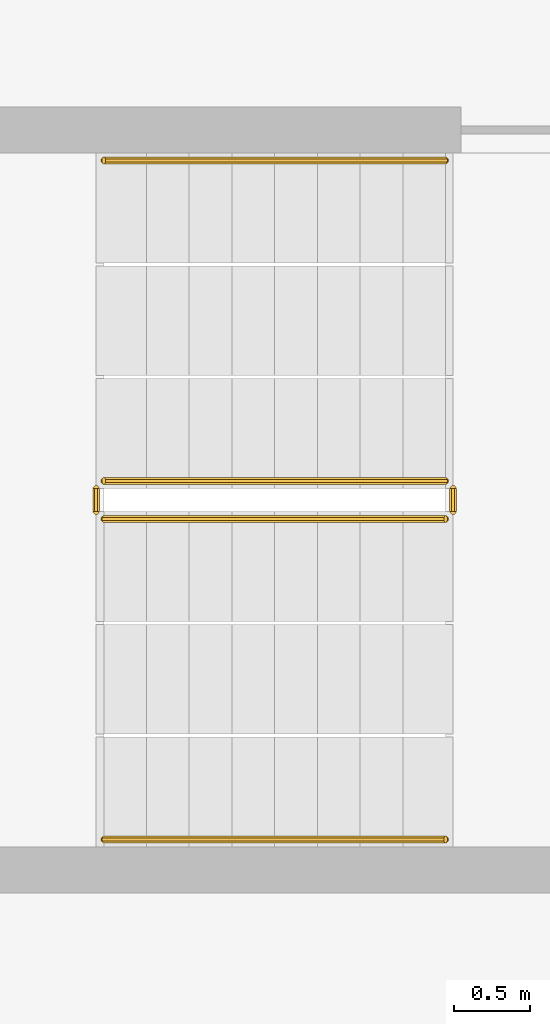
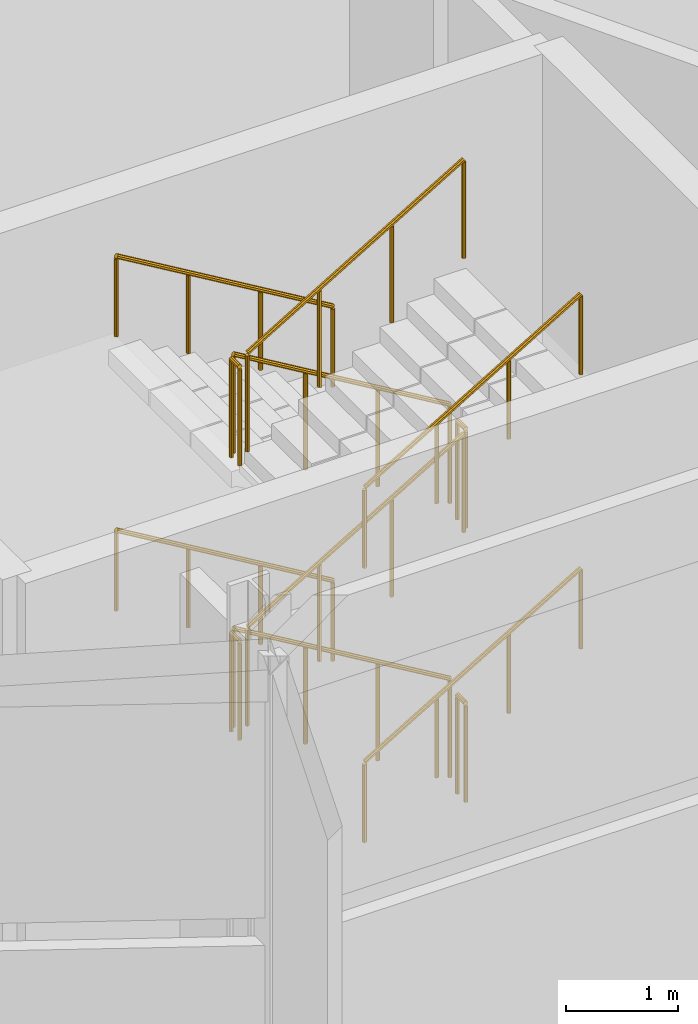
# One storey, part 23 of 33: 12 railings.
"""IFC4 building model written with IfcOpenShell, lengths in metres."""

from ifc_helpers import new_model, si_unit, direction, frame, origin, place, context, subcontext, project, spatial, polyline, outline, extrude, material, type_object, element, save


model = new_model("IFC4")

# Units and contexts
model_context = context("Model", 3, precision=1e-05, world=origin(), true_north=direction((0.0, 1.0)))
body_context = subcontext(model_context, "Body", "Model", "MODEL_VIEW")
ifc_project = project(units=[si_unit("LENGTHUNIT", "METRE"), si_unit("AREAUNIT", "SQUARE_METRE"), si_unit("VOLUMEUNIT", "CUBIC_METRE"), si_unit("PLANEANGLEUNIT", "RADIAN"), si_unit("MASSUNIT", "GRAM", prefix="KILO")], contexts=[model_context])

# Site, building, storey
site_placement = place(None, origin())
site = spatial("IfcSite", under=ifc_project, at=site_placement, CompositionType="ELEMENT")
building_placement = place(site_placement, origin())
building = spatial("IfcBuilding", under=site, at=building_placement, Name="Cormorant Relay Tower", CompositionType="ELEMENT")
storey_placement = place(building_placement, frame((0.0, 0.0, 252.0)))
storey = spatial("IfcBuildingStorey", under=building, at=storey_placement, Name="L56", CompositionType="ELEMENT", Elevation=252.0)

# Railings
ifc_material_1 = material(Name="Steel ASTM A572 Grade 50 (Fy 345 MPa)", Category="steel")
railing_type_1 = type_object("IfcRailingType", Name="Stair guard 1100", PredefinedType="GUARDRAIL", material=ifc_material_1)
railing_1_placement = place(storey_placement, frame((1.60009765625, -18.27490234375, 0.166748046875)))
element("IfcRailing", 1, at=railing_1_placement, inside=storey, type_object=railing_type_1, Name="L56 RK1 stair guard 1", PredefinedType="GUARDRAIL", context=body_context, shape_type="SweptSolid", body=[
    extrude(outline(polyline([(0.022216796875, 0.00927734375), (0.00927734375, 0.022216796875), (-0.00927734375, 0.022216796875), (-0.022216796875, 0.00927734375), (-0.022216796875, -0.00927734375), (-0.00927734375, -0.022216796875), (0.00927734375, -0.022216796875), (0.022216796875, -0.00927734375), (0.022216796875, 0.00927734375)])), frame((0.0, 0.0, 1.076171875), z_axis=(-0.859305625298, 0.0, 0.511462454469), x_axis=(0.0, -1.0, 0.0)), (0.0, 0.0, 1.0), 2.606689453125),
    extrude(outline(polyline([(0.019287109375, 0.008056640625), (0.008056640625, 0.019287109375), (-0.008056640625, 0.019287109375), (-0.019287109375, 0.008056640625), (-0.019287109375, -0.008056640625), (-0.008056640625, -0.019287109375), (0.008056640625, -0.019287109375), (0.019287109375, -0.008056640625), (0.019287109375, 0.008056640625)])), origin(), (0.0, 0.0, 1.0), 1.052001953125),
    extrude(outline(polyline([(0.019287109375, 0.008056640625), (0.008056640625, 0.019287109375), (-0.008056640625, 0.019287109375), (-0.019287109375, 0.008056640625), (-0.019287109375, -0.008056640625), (-0.008056640625, -0.019287109375), (0.008056640625, -0.019287109375), (0.019287109375, -0.008056640625), (0.019287109375, 0.008056640625)])), frame((-0.74658203125, 0.0, 0.4443359375)), (0.0, 0.0, 1.0), 1.052001953125),
    extrude(outline(polyline([(0.019287109375, 0.008056640625), (0.008056640625, 0.019287109375), (-0.008056640625, 0.019287109375), (-0.019287109375, 0.008056640625), (-0.019287109375, -0.008056640625), (-0.008056640625, -0.019287109375), (0.008056640625, -0.019287109375), (0.019287109375, -0.008056640625), (0.019287109375, 0.008056640625)])), frame((-1.493408203125, 0.0, 0.888916015625)), (0.0, 0.0, 1.0), 1.052001953125),
    extrude(outline(polyline([(0.019287109375, 0.008056640625), (0.008056640625, 0.019287109375), (-0.008056640625, 0.019287109375), (-0.019287109375, 0.008056640625), (-0.019287109375, -0.008056640625), (-0.008056640625, -0.019287109375), (0.008056640625, -0.019287109375), (0.019287109375, -0.008056640625), (0.019287109375, 0.008056640625)])), frame((-2.239990234375, 0.0, 1.333251953125)), (0.0, 0.0, 1.0), 1.052001953125),
])
railing_2_placement = place(storey_placement, frame((-0.68994140625, -18.324951171875, 1.5)))
element("IfcRailing", 2, at=railing_2_placement, inside=storey, type_object=railing_type_1, Name="L56 RK1 stair guard 2", PredefinedType="GUARDRAIL", context=body_context, shape_type="SweptSolid", body=[
    extrude(outline(polyline([(0.022216796875, 0.00927734375), (0.00927734375, 0.022216796875), (-0.00927734375, 0.022216796875), (-0.022216796875, 0.00927734375), (-0.022216796875, -0.00927734375), (-0.00927734375, -0.022216796875), (0.00927734375, -0.022216796875), (0.022216796875, -0.00927734375), (0.022216796875, 0.00927734375)])), frame((0.0, 0.0, 1.076171875), z_axis=(0.0, -1.0, 0.0), x_axis=(1.0, 0.0, 0.0)), (0.0, 0.0, 1.0), 0.150146484375),
    extrude(outline(polyline([(0.019287109375, 0.008056640625), (0.008056640625, 0.019287109375), (-0.008056640625, 0.019287109375), (-0.019287109375, 0.008056640625), (-0.019287109375, -0.008056640625), (-0.008056640625, -0.019287109375), (0.008056640625, -0.019287109375), (0.019287109375, -0.008056640625), (0.019287109375, 0.008056640625)])), origin(), (0.0, 0.0, 1.0), 1.052001953125),
    extrude(outline(polyline([(0.019287109375, 0.008056640625), (0.008056640625, 0.019287109375), (-0.008056640625, 0.019287109375), (-0.019287109375, 0.008056640625), (-0.019287109375, -0.008056640625), (-0.008056640625, -0.019287109375), (0.008056640625, -0.019287109375), (0.019287109375, -0.008056640625), (0.019287109375, 0.008056640625)])), frame((0.0, -0.150146484375, 0.0)), (0.0, 0.0, 1.0), 1.052001953125),
])
railing_3_placement = place(storey_placement, frame((-0.639892578125, -18.52490234375, 1.666748046875)))
element("IfcRailing", 3, at=railing_3_placement, inside=storey, type_object=railing_type_1, Name="L56 RK1 stair guard 3", PredefinedType="GUARDRAIL", context=body_context, shape_type="SweptSolid", body=[
    extrude(outline(polyline([(0.022216796875, 0.00927734375), (0.00927734375, 0.022216796875), (-0.00927734375, 0.022216796875), (-0.022216796875, 0.00927734375), (-0.022216796875, -0.00927734375), (-0.00927734375, -0.022216796875), (0.00927734375, -0.022216796875), (0.022216796875, -0.00927734375), (0.022216796875, 0.00927734375)])), frame((0.0, 0.0, 1.076171875), z_axis=(0.859305625298, 0.0, 0.511462454469), x_axis=(0.0, 1.0, 0.0)), (0.0, 0.0, 1.0), 2.606689453125),
    extrude(outline(polyline([(0.019287109375, 0.008056640625), (0.008056640625, 0.019287109375), (-0.008056640625, 0.019287109375), (-0.019287109375, 0.008056640625), (-0.019287109375, -0.008056640625), (-0.008056640625, -0.019287109375), (0.008056640625, -0.019287109375), (0.019287109375, -0.008056640625), (0.019287109375, 0.008056640625)])), origin(), (0.0, 0.0, 1.0), 1.052001953125),
    extrude(outline(polyline([(0.019287109375, 0.008056640625), (0.008056640625, 0.019287109375), (-0.008056640625, 0.019287109375), (-0.019287109375, 0.008056640625), (-0.019287109375, -0.008056640625), (-0.008056640625, -0.019287109375), (0.008056640625, -0.019287109375), (0.019287109375, -0.008056640625), (0.019287109375, 0.008056640625)])), frame((0.74658203125, 0.0, 0.4443359375)), (0.0, 0.0, 1.0), 1.052001953125),
    extrude(outline(polyline([(0.019287109375, 0.008056640625), (0.008056640625, 0.019287109375), (-0.008056640625, 0.019287109375), (-0.019287109375, 0.008056640625), (-0.019287109375, -0.008056640625), (-0.008056640625, -0.019287109375), (0.008056640625, -0.019287109375), (0.019287109375, -0.008056640625), (0.019287109375, 0.008056640625)])), frame((1.493408203125, 0.0, 0.888916015625)), (0.0, 0.0, 1.0), 1.052001953125),
    extrude(outline(polyline([(0.019287109375, 0.008056640625), (0.008056640625, 0.019287109375), (-0.008056640625, 0.019287109375), (-0.019287109375, 0.008056640625), (-0.019287109375, -0.008056640625), (-0.008056640625, -0.019287109375), (0.008056640625, -0.019287109375), (0.019287109375, -0.008056640625), (0.019287109375, 0.008056640625)])), frame((2.239990234375, 0.0, 1.333251953125)), (0.0, 0.0, 1.0), 1.052001953125),
])
railing_4_placement = place(storey_placement, frame((1.64990234375, -18.324951171875, 3.0)))
element("IfcRailing", 4, at=railing_4_placement, inside=storey, type_object=railing_type_1, Name="L56 RK1 stair guard 4", PredefinedType="GUARDRAIL", context=body_context, shape_type="SweptSolid", body=[
    extrude(outline(polyline([(0.022216796875, 0.00927734375), (0.00927734375, 0.022216796875), (-0.00927734375, 0.022216796875), (-0.022216796875, 0.00927734375), (-0.022216796875, -0.00927734375), (-0.00927734375, -0.022216796875), (0.00927734375, -0.022216796875), (0.022216796875, -0.00927734375), (0.022216796875, 0.00927734375)])), frame((0.0, 0.0, 1.076171875), z_axis=(0.0, -1.0, 0.0), x_axis=(1.0, 0.0, 0.0)), (0.0, 0.0, 1.0), 0.150146484375),
    extrude(outline(polyline([(0.019287109375, 0.008056640625), (0.008056640625, 0.019287109375), (-0.008056640625, 0.019287109375), (-0.019287109375, 0.008056640625), (-0.019287109375, -0.008056640625), (-0.008056640625, -0.019287109375), (0.008056640625, -0.019287109375), (0.019287109375, -0.008056640625), (0.019287109375, 0.008056640625)])), origin(), (0.0, 0.0, 1.0), 1.052001953125),
    extrude(outline(polyline([(0.019287109375, 0.008056640625), (0.008056640625, 0.019287109375), (-0.008056640625, 0.019287109375), (-0.019287109375, 0.008056640625), (-0.019287109375, -0.008056640625), (-0.008056640625, -0.019287109375), (0.008056640625, -0.019287109375), (0.019287109375, -0.008056640625), (0.019287109375, 0.008056640625)])), frame((0.0, -0.150146484375, 0.0)), (0.0, 0.0, 1.0), 1.052001953125),
])
railing_5_placement = place(storey_placement, frame((1.60009765625, -18.27490234375, 3.166748046875)))
element("IfcRailing", 5, at=railing_5_placement, inside=storey, type_object=railing_type_1, Name="L56 RK1 stair guard 5", PredefinedType="GUARDRAIL", context=body_context, shape_type="SweptSolid", body=[
    extrude(outline(polyline([(0.022216796875, 0.00927734375), (0.00927734375, 0.022216796875), (-0.00927734375, 0.022216796875), (-0.022216796875, 0.00927734375), (-0.022216796875, -0.00927734375), (-0.00927734375, -0.022216796875), (0.00927734375, -0.022216796875), (0.022216796875, -0.00927734375), (0.022216796875, 0.00927734375)])), frame((0.0, 0.0, 1.076171875), z_axis=(-0.859305625298, 0.0, 0.511462454469), x_axis=(0.0, -1.0, 0.0)), (0.0, 0.0, 1.0), 2.606689453125),
    extrude(outline(polyline([(0.019287109375, 0.008056640625), (0.008056640625, 0.019287109375), (-0.008056640625, 0.019287109375), (-0.019287109375, 0.008056640625), (-0.019287109375, -0.008056640625), (-0.008056640625, -0.019287109375), (0.008056640625, -0.019287109375), (0.019287109375, -0.008056640625), (0.019287109375, 0.008056640625)])), origin(), (0.0, 0.0, 1.0), 1.052001953125),
    extrude(outline(polyline([(0.019287109375, 0.008056640625), (0.008056640625, 0.019287109375), (-0.008056640625, 0.019287109375), (-0.019287109375, 0.008056640625), (-0.019287109375, -0.008056640625), (-0.008056640625, -0.019287109375), (0.008056640625, -0.019287109375), (0.019287109375, -0.008056640625), (0.019287109375, 0.008056640625)])), frame((-0.74658203125, 0.0, 0.4443359375)), (0.0, 0.0, 1.0), 1.052001953125),
    extrude(outline(polyline([(0.019287109375, 0.008056640625), (0.008056640625, 0.019287109375), (-0.008056640625, 0.019287109375), (-0.019287109375, 0.008056640625), (-0.019287109375, -0.008056640625), (-0.008056640625, -0.019287109375), (0.008056640625, -0.019287109375), (0.019287109375, -0.008056640625), (0.019287109375, 0.008056640625)])), frame((-1.493408203125, 0.0, 0.888916015625)), (0.0, 0.0, 1.0), 1.052001953125),
    extrude(outline(polyline([(0.019287109375, 0.008056640625), (0.008056640625, 0.019287109375), (-0.008056640625, 0.019287109375), (-0.019287109375, 0.008056640625), (-0.019287109375, -0.008056640625), (-0.008056640625, -0.019287109375), (0.008056640625, -0.019287109375), (0.019287109375, -0.008056640625), (0.019287109375, 0.008056640625)])), frame((-2.239990234375, 0.0, 1.333251953125)), (0.0, 0.0, 1.0), 1.052001953125),
])
railing_6_placement = place(storey_placement, frame((-0.68994140625, -18.324951171875, 4.5)))
element("IfcRailing", 6, at=railing_6_placement, inside=storey, type_object=railing_type_1, Name="L56 RK1 stair guard 6", PredefinedType="GUARDRAIL", context=body_context, shape_type="SweptSolid", body=[
    extrude(outline(polyline([(0.022216796875, 0.00927734375), (0.00927734375, 0.022216796875), (-0.00927734375, 0.022216796875), (-0.022216796875, 0.00927734375), (-0.022216796875, -0.00927734375), (-0.00927734375, -0.022216796875), (0.00927734375, -0.022216796875), (0.022216796875, -0.00927734375), (0.022216796875, 0.00927734375)])), frame((0.0, 0.0, 1.076171875), z_axis=(0.0, -1.0, 0.0), x_axis=(1.0, 0.0, 0.0)), (0.0, 0.0, 1.0), 0.150146484375),
    extrude(outline(polyline([(0.019287109375, 0.008056640625), (0.008056640625, 0.019287109375), (-0.008056640625, 0.019287109375), (-0.019287109375, 0.008056640625), (-0.019287109375, -0.008056640625), (-0.008056640625, -0.019287109375), (0.008056640625, -0.019287109375), (0.019287109375, -0.008056640625), (0.019287109375, 0.008056640625)])), origin(), (0.0, 0.0, 1.0), 1.052001953125),
    extrude(outline(polyline([(0.019287109375, 0.008056640625), (0.008056640625, 0.019287109375), (-0.008056640625, 0.019287109375), (-0.019287109375, 0.008056640625), (-0.019287109375, -0.008056640625), (-0.008056640625, -0.019287109375), (0.008056640625, -0.019287109375), (0.019287109375, -0.008056640625), (0.019287109375, 0.008056640625)])), frame((0.0, -0.150146484375, 0.0)), (0.0, 0.0, 1.0), 1.052001953125),
])
railing_7_placement = place(storey_placement, frame((-0.639892578125, -18.52490234375, 4.666748046875)))
element("IfcRailing", 7, at=railing_7_placement, inside=storey, type_object=railing_type_1, Name="L56 RK1 stair guard 7", PredefinedType="GUARDRAIL", context=body_context, shape_type="SweptSolid", body=[
    extrude(outline(polyline([(0.022216796875, 0.00927734375), (0.00927734375, 0.022216796875), (-0.00927734375, 0.022216796875), (-0.022216796875, 0.00927734375), (-0.022216796875, -0.00927734375), (-0.00927734375, -0.022216796875), (0.00927734375, -0.022216796875), (0.022216796875, -0.00927734375), (0.022216796875, 0.00927734375)])), frame((0.0, 0.0, 1.076171875), z_axis=(0.859305625298, 0.0, 0.511462454469), x_axis=(0.0, 1.0, 0.0)), (0.0, 0.0, 1.0), 2.606689453125),
    extrude(outline(polyline([(0.019287109375, 0.008056640625), (0.008056640625, 0.019287109375), (-0.008056640625, 0.019287109375), (-0.019287109375, 0.008056640625), (-0.019287109375, -0.008056640625), (-0.008056640625, -0.019287109375), (0.008056640625, -0.019287109375), (0.019287109375, -0.008056640625), (0.019287109375, 0.008056640625)])), origin(), (0.0, 0.0, 1.0), 1.052001953125),
    extrude(outline(polyline([(0.019287109375, 0.008056640625), (0.008056640625, 0.019287109375), (-0.008056640625, 0.019287109375), (-0.019287109375, 0.008056640625), (-0.019287109375, -0.008056640625), (-0.008056640625, -0.019287109375), (0.008056640625, -0.019287109375), (0.019287109375, -0.008056640625), (0.019287109375, 0.008056640625)])), frame((0.74658203125, 0.0, 0.4443359375)), (0.0, 0.0, 1.0), 1.052001953125),
    extrude(outline(polyline([(0.019287109375, 0.008056640625), (0.008056640625, 0.019287109375), (-0.008056640625, 0.019287109375), (-0.019287109375, 0.008056640625), (-0.019287109375, -0.008056640625), (-0.008056640625, -0.019287109375), (0.008056640625, -0.019287109375), (0.019287109375, -0.008056640625), (0.019287109375, 0.008056640625)])), frame((1.493408203125, 0.0, 0.888916015625)), (0.0, 0.0, 1.0), 1.052001953125),
    extrude(outline(polyline([(0.019287109375, 0.008056640625), (0.008056640625, 0.019287109375), (-0.008056640625, 0.019287109375), (-0.019287109375, 0.008056640625), (-0.019287109375, -0.008056640625), (-0.008056640625, -0.019287109375), (0.008056640625, -0.019287109375), (0.019287109375, -0.008056640625), (0.019287109375, 0.008056640625)])), frame((2.239990234375, 0.0, 1.333251953125)), (0.0, 0.0, 1.0), 1.052001953125),
])
railing_8_placement = place(storey_placement, frame((1.64990234375, -18.324951171875, 0.0)))
element("IfcRailing", 8, at=railing_8_placement, inside=storey, type_object=railing_type_1, Name="L56 RK1 stair guard 8", PredefinedType="GUARDRAIL", context=body_context, shape_type="SweptSolid", body=[
    extrude(outline(polyline([(0.022216796875, 0.00927734375), (0.00927734375, 0.022216796875), (-0.00927734375, 0.022216796875), (-0.022216796875, 0.00927734375), (-0.022216796875, -0.00927734375), (-0.00927734375, -0.022216796875), (0.00927734375, -0.022216796875), (0.022216796875, -0.00927734375), (0.022216796875, 0.00927734375)])), frame((0.0, 0.0, 1.076171875), z_axis=(0.0, -1.0, 0.0), x_axis=(1.0, 0.0, 0.0)), (0.0, 0.0, 1.0), 0.150146484375),
    extrude(outline(polyline([(0.019287109375, 0.008056640625), (0.008056640625, 0.019287109375), (-0.008056640625, 0.019287109375), (-0.019287109375, 0.008056640625), (-0.019287109375, -0.008056640625), (-0.008056640625, -0.019287109375), (0.008056640625, -0.019287109375), (0.019287109375, -0.008056640625), (0.019287109375, 0.008056640625)])), origin(), (0.0, 0.0, 1.0), 1.052001953125),
    extrude(outline(polyline([(0.019287109375, 0.008056640625), (0.008056640625, 0.019287109375), (-0.008056640625, 0.019287109375), (-0.019287109375, 0.008056640625), (-0.019287109375, -0.008056640625), (-0.008056640625, -0.019287109375), (0.008056640625, -0.019287109375), (0.019287109375, -0.008056640625), (0.019287109375, 0.008056640625)])), frame((0.0, -0.150146484375, 0.0)), (0.0, 0.0, 1.0), 1.052001953125),
])
ifc_material_2 = material(Name="Steel ASTM A572 Grade 50 (Fy 345 MPa)", Category="steel")
railing_type_2 = type_object("IfcRailingType", Name="Stair handrail 900", PredefinedType="HANDRAIL", material=ifc_material_2)
railing_9_placement = place(storey_placement, frame((1.60009765625, -16.175048828125, 0.166748046875)))
element("IfcRailing", 9, at=railing_9_placement, inside=storey, type_object=railing_type_2, Name="L56 RK1 stair handrail 1", PredefinedType="HANDRAIL", context=body_context, shape_type="SweptSolid", body=[
    extrude(outline(polyline([(0.022216796875, 0.00927734375), (0.00927734375, 0.022216796875), (-0.00927734375, 0.022216796875), (-0.022216796875, 0.00927734375), (-0.022216796875, -0.00927734375), (-0.00927734375, -0.022216796875), (0.00927734375, -0.022216796875), (0.022216796875, -0.00927734375), (0.022216796875, 0.00927734375)])), frame((0.0, 0.0, 0.8759765625), z_axis=(-0.859305625298, 0.0, 0.511462454469), x_axis=(0.0, -1.0, 0.0)), (0.0, 0.0, 1.0), 2.606689453125),
    extrude(outline(polyline([(0.019287109375, 0.008056640625), (0.008056640625, 0.019287109375), (-0.008056640625, 0.019287109375), (-0.019287109375, 0.008056640625), (-0.019287109375, -0.008056640625), (-0.008056640625, -0.019287109375), (0.008056640625, -0.019287109375), (0.019287109375, -0.008056640625), (0.019287109375, 0.008056640625)])), origin(), (0.0, 0.0, 1.0), 0.851806640625),
    extrude(outline(polyline([(0.019287109375, 0.008056640625), (0.008056640625, 0.019287109375), (-0.008056640625, 0.019287109375), (-0.019287109375, 0.008056640625), (-0.019287109375, -0.008056640625), (-0.008056640625, -0.019287109375), (0.008056640625, -0.019287109375), (0.019287109375, -0.008056640625), (0.019287109375, 0.008056640625)])), frame((-0.74658203125, 0.0, 0.4443359375)), (0.0, 0.0, 1.0), 0.851806640625),
    extrude(outline(polyline([(0.019287109375, 0.008056640625), (0.008056640625, 0.019287109375), (-0.008056640625, 0.019287109375), (-0.019287109375, 0.008056640625), (-0.019287109375, -0.008056640625), (-0.008056640625, -0.019287109375), (0.008056640625, -0.019287109375), (0.019287109375, -0.008056640625), (0.019287109375, 0.008056640625)])), frame((-1.493408203125, 0.0, 0.888916015625)), (0.0, 0.0, 1.0), 0.851806640625),
    extrude(outline(polyline([(0.019287109375, 0.008056640625), (0.008056640625, 0.019287109375), (-0.008056640625, 0.019287109375), (-0.019287109375, 0.008056640625), (-0.019287109375, -0.008056640625), (-0.008056640625, -0.019287109375), (0.008056640625, -0.019287109375), (0.019287109375, -0.008056640625), (0.019287109375, 0.008056640625)])), frame((-2.239990234375, 0.0, 1.333251953125)), (0.0, 0.0, 1.0), 0.851806640625),
])
railing_10_placement = place(storey_placement, frame((-0.639892578125, -20.625, 1.666748046875)))
element("IfcRailing", 10, at=railing_10_placement, inside=storey, type_object=railing_type_2, Name="L56 RK1 stair handrail 2", PredefinedType="HANDRAIL", context=body_context, shape_type="SweptSolid", body=[
    extrude(outline(polyline([(0.022216796875, 0.00927734375), (0.00927734375, 0.022216796875), (-0.00927734375, 0.022216796875), (-0.022216796875, 0.00927734375), (-0.022216796875, -0.00927734375), (-0.00927734375, -0.022216796875), (0.00927734375, -0.022216796875), (0.022216796875, -0.00927734375), (0.022216796875, 0.00927734375)])), frame((0.0, 0.0, 0.8759765625), z_axis=(0.859305625298, 0.0, 0.511462454469), x_axis=(0.0, 1.0, 0.0)), (0.0, 0.0, 1.0), 2.606689453125),
    extrude(outline(polyline([(0.019287109375, 0.008056640625), (0.008056640625, 0.019287109375), (-0.008056640625, 0.019287109375), (-0.019287109375, 0.008056640625), (-0.019287109375, -0.008056640625), (-0.008056640625, -0.019287109375), (0.008056640625, -0.019287109375), (0.019287109375, -0.008056640625), (0.019287109375, 0.008056640625)])), origin(), (0.0, 0.0, 1.0), 0.851806640625),
    extrude(outline(polyline([(0.019287109375, 0.008056640625), (0.008056640625, 0.019287109375), (-0.008056640625, 0.019287109375), (-0.019287109375, 0.008056640625), (-0.019287109375, -0.008056640625), (-0.008056640625, -0.019287109375), (0.008056640625, -0.019287109375), (0.019287109375, -0.008056640625), (0.019287109375, 0.008056640625)])), frame((0.74658203125, 0.0, 0.4443359375)), (0.0, 0.0, 1.0), 0.851806640625),
    extrude(outline(polyline([(0.019287109375, 0.008056640625), (0.008056640625, 0.019287109375), (-0.008056640625, 0.019287109375), (-0.019287109375, 0.008056640625), (-0.019287109375, -0.008056640625), (-0.008056640625, -0.019287109375), (0.008056640625, -0.019287109375), (0.019287109375, -0.008056640625), (0.019287109375, 0.008056640625)])), frame((1.493408203125, 0.0, 0.888916015625)), (0.0, 0.0, 1.0), 0.851806640625),
    extrude(outline(polyline([(0.019287109375, 0.008056640625), (0.008056640625, 0.019287109375), (-0.008056640625, 0.019287109375), (-0.019287109375, 0.008056640625), (-0.019287109375, -0.008056640625), (-0.008056640625, -0.019287109375), (0.008056640625, -0.019287109375), (0.019287109375, -0.008056640625), (0.019287109375, 0.008056640625)])), frame((2.239990234375, 0.0, 1.333251953125)), (0.0, 0.0, 1.0), 0.851806640625),
])
railing_11_placement = place(storey_placement, frame((1.60009765625, -16.175048828125, 3.166748046875)))
element("IfcRailing", 11, at=railing_11_placement, inside=storey, type_object=railing_type_2, Name="L56 RK1 stair handrail 3", PredefinedType="HANDRAIL", context=body_context, shape_type="SweptSolid", body=[
    extrude(outline(polyline([(0.022216796875, 0.00927734375), (0.00927734375, 0.022216796875), (-0.00927734375, 0.022216796875), (-0.022216796875, 0.00927734375), (-0.022216796875, -0.00927734375), (-0.00927734375, -0.022216796875), (0.00927734375, -0.022216796875), (0.022216796875, -0.00927734375), (0.022216796875, 0.00927734375)])), frame((0.0, 0.0, 0.8759765625), z_axis=(-0.859305625298, 0.0, 0.511462454469), x_axis=(0.0, -1.0, 0.0)), (0.0, 0.0, 1.0), 2.606689453125),
    extrude(outline(polyline([(0.019287109375, 0.008056640625), (0.008056640625, 0.019287109375), (-0.008056640625, 0.019287109375), (-0.019287109375, 0.008056640625), (-0.019287109375, -0.008056640625), (-0.008056640625, -0.019287109375), (0.008056640625, -0.019287109375), (0.019287109375, -0.008056640625), (0.019287109375, 0.008056640625)])), origin(), (0.0, 0.0, 1.0), 0.851806640625),
    extrude(outline(polyline([(0.019287109375, 0.008056640625), (0.008056640625, 0.019287109375), (-0.008056640625, 0.019287109375), (-0.019287109375, 0.008056640625), (-0.019287109375, -0.008056640625), (-0.008056640625, -0.019287109375), (0.008056640625, -0.019287109375), (0.019287109375, -0.008056640625), (0.019287109375, 0.008056640625)])), frame((-0.74658203125, 0.0, 0.4443359375)), (0.0, 0.0, 1.0), 0.851806640625),
    extrude(outline(polyline([(0.019287109375, 0.008056640625), (0.008056640625, 0.019287109375), (-0.008056640625, 0.019287109375), (-0.019287109375, 0.008056640625), (-0.019287109375, -0.008056640625), (-0.008056640625, -0.019287109375), (0.008056640625, -0.019287109375), (0.019287109375, -0.008056640625), (0.019287109375, 0.008056640625)])), frame((-1.493408203125, 0.0, 0.888916015625)), (0.0, 0.0, 1.0), 0.851806640625),
    extrude(outline(polyline([(0.019287109375, 0.008056640625), (0.008056640625, 0.019287109375), (-0.008056640625, 0.019287109375), (-0.019287109375, 0.008056640625), (-0.019287109375, -0.008056640625), (-0.008056640625, -0.019287109375), (0.008056640625, -0.019287109375), (0.019287109375, -0.008056640625), (0.019287109375, 0.008056640625)])), frame((-2.239990234375, 0.0, 1.333251953125)), (0.0, 0.0, 1.0), 0.851806640625),
])
railing_12_placement = place(storey_placement, frame((-0.639892578125, -20.625, 4.666748046875)))
element("IfcRailing", 12, at=railing_12_placement, inside=storey, type_object=railing_type_2, Name="L56 RK1 stair handrail 4", PredefinedType="HANDRAIL", context=body_context, shape_type="SweptSolid", body=[
    extrude(outline(polyline([(0.022216796875, 0.00927734375), (0.00927734375, 0.022216796875), (-0.00927734375, 0.022216796875), (-0.022216796875, 0.00927734375), (-0.022216796875, -0.00927734375), (-0.00927734375, -0.022216796875), (0.00927734375, -0.022216796875), (0.022216796875, -0.00927734375), (0.022216796875, 0.00927734375)])), frame((0.0, 0.0, 0.8759765625), z_axis=(0.859305625298, 0.0, 0.511462454469), x_axis=(0.0, 1.0, 0.0)), (0.0, 0.0, 1.0), 2.606689453125),
    extrude(outline(polyline([(0.019287109375, 0.008056640625), (0.008056640625, 0.019287109375), (-0.008056640625, 0.019287109375), (-0.019287109375, 0.008056640625), (-0.019287109375, -0.008056640625), (-0.008056640625, -0.019287109375), (0.008056640625, -0.019287109375), (0.019287109375, -0.008056640625), (0.019287109375, 0.008056640625)])), origin(), (0.0, 0.0, 1.0), 0.851806640625),
    extrude(outline(polyline([(0.019287109375, 0.008056640625), (0.008056640625, 0.019287109375), (-0.008056640625, 0.019287109375), (-0.019287109375, 0.008056640625), (-0.019287109375, -0.008056640625), (-0.008056640625, -0.019287109375), (0.008056640625, -0.019287109375), (0.019287109375, -0.008056640625), (0.019287109375, 0.008056640625)])), frame((0.74658203125, 0.0, 0.4443359375)), (0.0, 0.0, 1.0), 0.851806640625),
    extrude(outline(polyline([(0.019287109375, 0.008056640625), (0.008056640625, 0.019287109375), (-0.008056640625, 0.019287109375), (-0.019287109375, 0.008056640625), (-0.019287109375, -0.008056640625), (-0.008056640625, -0.019287109375), (0.008056640625, -0.019287109375), (0.019287109375, -0.008056640625), (0.019287109375, 0.008056640625)])), frame((1.493408203125, 0.0, 0.888916015625)), (0.0, 0.0, 1.0), 0.851806640625),
    extrude(outline(polyline([(0.019287109375, 0.008056640625), (0.008056640625, 0.019287109375), (-0.008056640625, 0.019287109375), (-0.019287109375, 0.008056640625), (-0.019287109375, -0.008056640625), (-0.008056640625, -0.019287109375), (0.008056640625, -0.019287109375), (0.019287109375, -0.008056640625), (0.019287109375, 0.008056640625)])), frame((2.239990234375, 0.0, 1.333251953125)), (0.0, 0.0, 1.0), 0.851806640625),
])

save(model, "model.ifc")
